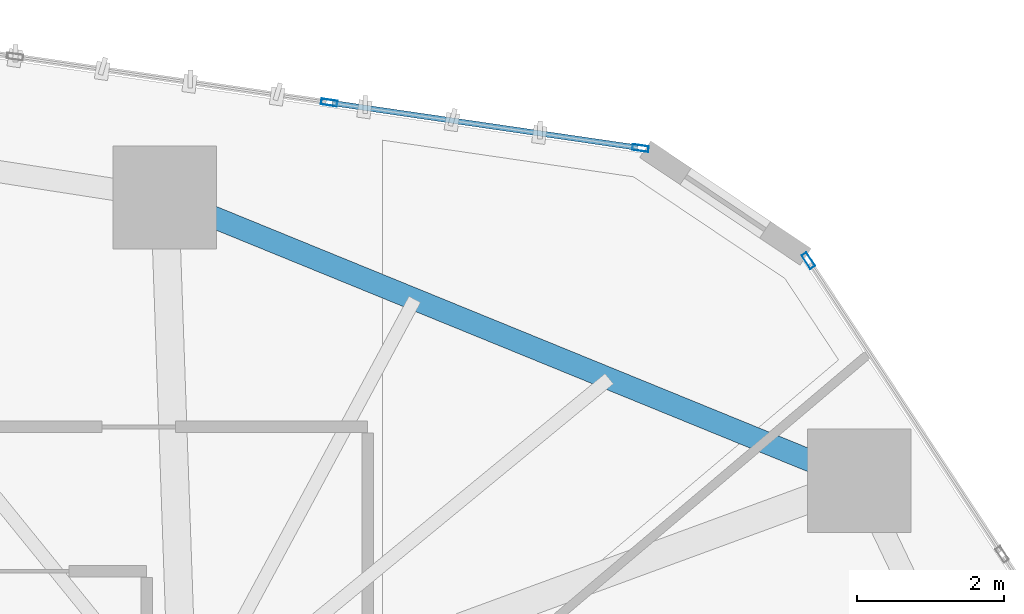
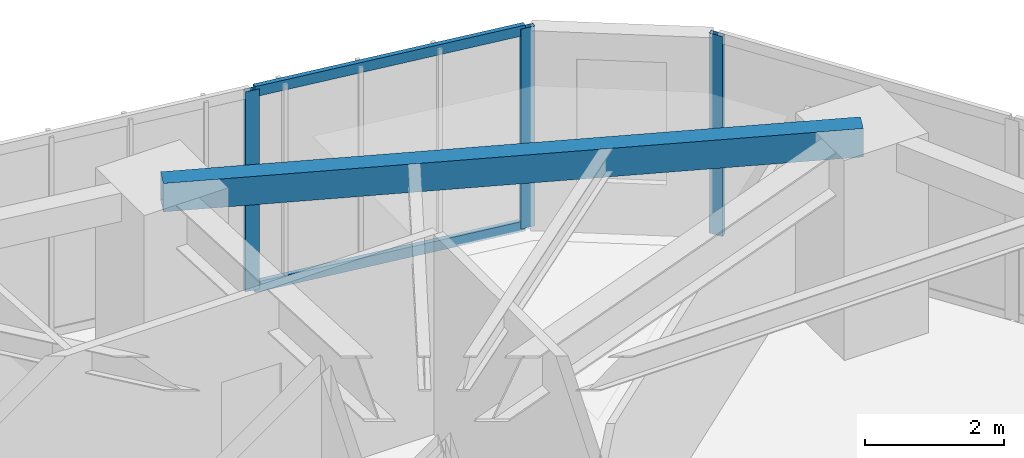
# One storey, part 16 of 22: 5 members, 1 beam, 2 elements without a shape of their own.
"""IFC4 building model written with IfcOpenShell, lengths in metres."""

from ifc_helpers import new_model, si_unit, direction, frame, origin, origin_2d, place, context, subcontext, project, spatial, hollow_rectangle, extrude, source, transform, mapped, material, layer, layer_set, material_profile, profile_set, type_object, type_shapes, element, aggregate, save


model = new_model("IFC4")

# Units and contexts
model_context = context("Model", 3, precision=1e-05, world=origin(), true_north=direction((0.0, 1.0)))
body_context = subcontext(model_context, "Body", "Model", "MODEL_VIEW")
ifc_project = project(units=[si_unit("LENGTHUNIT", "METRE"), si_unit("AREAUNIT", "SQUARE_METRE"), si_unit("VOLUMEUNIT", "CUBIC_METRE"), si_unit("PLANEANGLEUNIT", "RADIAN"), si_unit("MASSUNIT", "GRAM", prefix="KILO")], contexts=[model_context])

# Site, building, storey
site_placement = place(None, origin())
site = spatial("IfcSite", under=ifc_project, at=site_placement, CompositionType="ELEMENT")
building_placement = place(site_placement, origin())
building = spatial("IfcBuilding", under=site, at=building_placement, Name="Talar Marvaseh", CompositionType="ELEMENT")
storey_placement = place(building_placement, frame((0.0, 0.0, 65.800048828125)))
storey = spatial("IfcBuildingStorey", under=building, at=storey_placement, Name="L16", CompositionType="ELEMENT", Elevation=65.800048828125)

# Beam
ifc_material_1 = material(Name="Steel S355", Category="steel")
ifc_material_profile_1 = material_profile(ifc_material_1, hollow_rectangle(XDim=0.300048828125, YDim=0.5, WallThickness=0.02001953125, at=origin_2d()), Name="RHS500x300x20")
ifc_profile_set_1 = profile_set([ifc_material_profile_1], Name="Steel S355")
beam_type = type_object("IfcBeamType", Name="Zone 1 Perimeter Spandrel Beam RHS500x300x20", PredefinedType="SPANDREL", material=ifc_profile_set_1)
beam_placement = place(storey_placement, frame((33.0458984375, 44.117919921875, 3.27001953125), z_axis=(0.92586732306, -0.377848779395, 0.0), x_axis=(0.377848779395, 0.92586732306, 0.0)))
element("IfcBeam", 1, at=beam_placement, inside=storey, type_object=beam_type, Name="L16 Zone 1 Perimeter Spandrel Beam RHS500x300x20", PredefinedType="SPANDREL", context=body_context, shape_type="SweptSolid", body=[
    extrude(hollow_rectangle(XDim=0.300048828125, YDim=0.5, WallThickness=0.02001953125, at=origin_2d()), origin(), (0.0, 0.0, 1.0), 10.186279296875),
])

# Curtain wall, members
ifc_material_2 = material(Name="Architectural Aluminium", Category="aluminium")
ifc_layer = layer(ifc_material_2, 0.219970703125)
ifc_layer_set = layer_set([ifc_layer], Name="Architectural Aluminium")
curtain_wall_type = type_object("IfcCurtainWallType", Name="Unitised Low-E Museum Curtain Wall Z1", PredefinedType="NOTDEFINED", material=ifc_layer_set)
curtain_wall_1_placement = place(storey_placement, origin())
curtain_wall_1 = element("IfcCurtainWall", 2, at=curtain_wall_1_placement, inside=storey, type_object=curtain_wall_type, Name="L16 Unitised Low-E Museum Curtain Wall Z1", PredefinedType="NOTDEFINED")
ifc_material_profile_2 = material_profile(ifc_material_2, hollow_rectangle(XDim=0.080078125, YDim=0.219970703125, WallThickness=0.0048828125, at=origin_2d()), Name="RHS220x80x5")
ifc_profile_set_2 = profile_set([ifc_material_profile_2], Name="Architectural Aluminium")
member_type_1 = type_object("IfcMemberType", Name="Unitised Curtain Wall Heavy Mullion RHS220x80x5", PredefinedType="MULLION", material=ifc_profile_set_2)
shared_shape_1 = source(origin(), body_context, "Body", "SweptSolid", [
    extrude(hollow_rectangle(XDim=0.080078125, YDim=0.219970703125, WallThickness=0.0048828125, at=origin_2d()), origin(), (0.0, 0.0, 1.0), 3.52001953125),
])
type_shapes(member_type_1, [shared_shape_1])
member_1_placement = place(storey_placement, frame((35.27880859375, 45.404296875, 0.0), z_axis=(0.0, 0.0, 1.0), x_axis=(0.144664191981, 0.989480809091, 0.0)))
member_1 = element("IfcMember", 3, at=member_1_placement, type_object=member_type_1, Name="CW-Z1 mullion 4", PredefinedType="MULLION", context=body_context, shape_type="MappedRepresentation", body=[
    mapped(shared_shape_1, transform((0.0, 0.0, 0.0), x_axis=(1.0, 0.0, 0.0), y_axis=(0.0, 1.0, 0.0), z_axis=(0.0, 0.0, 1.0), scale=1.0)),
])
member_2_placement = place(storey_placement, frame((39.505859375, 44.7861328125, 0.0), z_axis=(0.0, 0.0, 1.0), x_axis=(0.144664191981, 0.989480809091, 0.0)))
member_2 = element("IfcMember", 4, at=member_2_placement, type_object=member_type_1, Name="CW-Z1 mullion 5", PredefinedType="MULLION", context=body_context, shape_type="MappedRepresentation", body=[
    mapped(shared_shape_1, transform((0.0, 0.0, 0.0), x_axis=(1.0, 0.0, 0.0), y_axis=(0.0, 1.0, 0.0), z_axis=(0.0, 0.0, 1.0), scale=1.0)),
])

# Curtain wall, member
curtain_wall_2_placement = place(storey_placement, origin())
curtain_wall_2 = element("IfcCurtainWall", 5, at=curtain_wall_2_placement, inside=storey, type_object=curtain_wall_type, Name="L16 Unitised Low-E Museum Curtain Wall Z1", PredefinedType="NOTDEFINED")
member_3_placement = place(storey_placement, frame((41.786865234375, 43.25830078125, 0.0), z_axis=(0.0, 0.0, 1.0), x_axis=(0.834809984106, 0.550538182542, 0.0)))
member_3 = element("IfcMember", 6, at=member_3_placement, type_object=member_type_1, Name="CW-Z1 mullion 1", PredefinedType="MULLION", context=body_context, shape_type="MappedRepresentation", body=[
    mapped(shared_shape_1, transform((0.0, 0.0, 0.0), x_axis=(1.0, 0.0, 0.0), y_axis=(0.0, 1.0, 0.0), z_axis=(0.0, 0.0, 1.0), scale=1.0)),
])
aggregate(curtain_wall_2, [member_3])

# Member
ifc_material_profile_3 = material_profile(ifc_material_2, hollow_rectangle(XDim=0.074951171875, YDim=0.179931640625, WallThickness=0.0048828125, at=origin_2d()), Name="RHS180x75x5")
ifc_profile_set_3 = profile_set([ifc_material_profile_3], Name="Architectural Aluminium")
member_type_2 = type_object("IfcMemberType", Name="Unitised Curtain Wall Transom RHS180x75x5", PredefinedType="USERDEFINED", material=ifc_profile_set_3)
shared_shape_2 = source(origin(), body_context, "Body", "SweptSolid", [
    extrude(hollow_rectangle(XDim=0.074951171875, YDim=0.179931640625, WallThickness=0.0048828125, at=origin_2d()), origin(), (0.0, 0.0, 1.0), 4.192138671875),
])
type_shapes(member_type_2, [shared_shape_2])
member_4_placement = place(storey_placement, frame((35.318359375, 45.3984375, 0.037353515625), z_axis=(0.989480592497, -0.144665673441, 0.0), x_axis=(0.144665673441, 0.989480592497, 0.0)))
member_4 = element("IfcMember", 7, at=member_4_placement, type_object=member_type_2, Name="CW-Z1 transom 4.1", ObjectType="TRANSOM", PredefinedType="USERDEFINED", context=body_context, shape_type="MappedRepresentation", body=[
    mapped(shared_shape_2, transform((0.0, 0.0, 0.0), x_axis=(1.0, 0.0, 0.0), y_axis=(0.0, 1.0, 0.0), z_axis=(0.0, 0.0, 1.0), scale=1.0)),
])

member_5_placement = place(storey_placement, frame((35.318359375, 45.3984375, 3.482421875), z_axis=(0.989480592497, -0.144665673441, 0.0), x_axis=(0.144665673441, 0.989480592497, 0.0)))
member_5 = element("IfcMember", 8, at=member_5_placement, type_object=member_type_2, Name="CW-Z1 transom 4.2", ObjectType="TRANSOM", PredefinedType="USERDEFINED", context=body_context, shape_type="MappedRepresentation", body=[
    mapped(shared_shape_2, transform((0.0, 0.0, 0.0), x_axis=(1.0, 0.0, 0.0), y_axis=(0.0, 1.0, 0.0), z_axis=(0.0, 0.0, 1.0), scale=1.0)),
])

aggregate(curtain_wall_1, [member_1, member_2, member_4, member_5])

save(model, "model.ifc")
